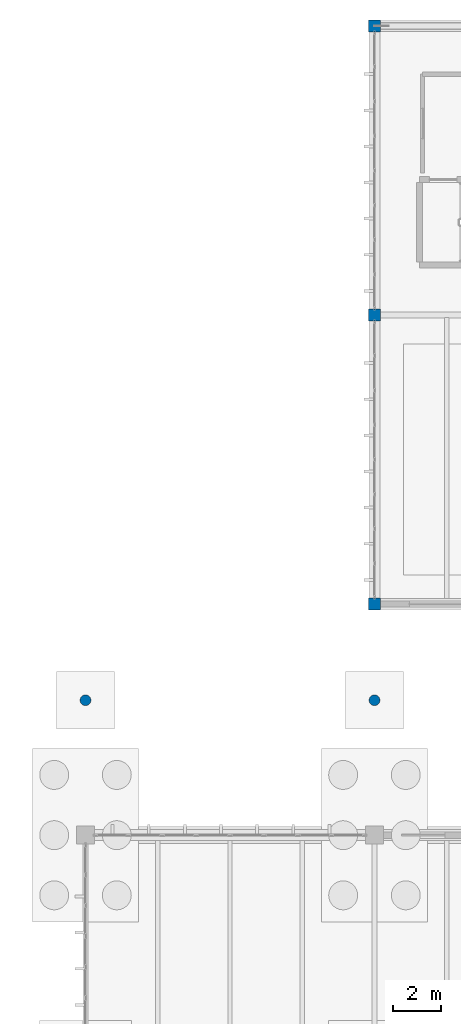
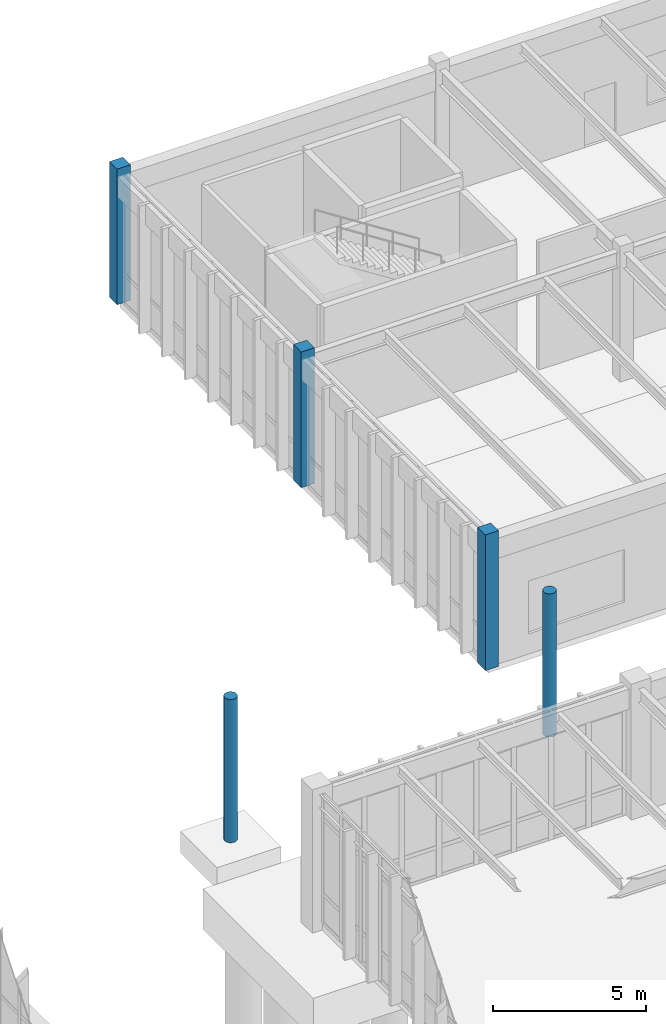
# One storey, part 13 of 188: 5 columns.
"""IFC4 building model written with IfcOpenShell, lengths in metres."""

from ifc_helpers import new_model, si_unit, direction, frame, origin, origin_2d, place, context, subcontext, project, spatial, rectangle, circle, extrude, material, material_profile, profile_set, type_object, element, save


model = new_model("IFC4")

# Units and contexts
model_context = context("Model", 3, precision=1e-05, world=origin(), true_north=direction((0.0, 1.0)))
body_context = subcontext(model_context, "Body", "Model", "MODEL_VIEW")
ifc_project = project(units=[si_unit("LENGTHUNIT", "METRE"), si_unit("AREAUNIT", "SQUARE_METRE"), si_unit("VOLUMEUNIT", "CUBIC_METRE"), si_unit("PLANEANGLEUNIT", "RADIAN"), si_unit("MASSUNIT", "GRAM", prefix="KILO")], contexts=[model_context])

# Site, building, storey
site_placement = place(None, origin())
site = spatial("IfcSite", under=ifc_project, at=site_placement, CompositionType="ELEMENT")
building_placement = place(site_placement, origin())
building = spatial("IfcBuilding", under=site, at=building_placement, Name="Pandanus Reach Market Hall", CompositionType="ELEMENT")
storey_placement = place(building_placement, origin())
storey = spatial("IfcBuildingStorey", under=building, at=storey_placement, Name="L00", CompositionType="ELEMENT", Elevation=0.0)

# Columns
ifc_material_1 = material(Name="Concrete N40 (40 MPa)", Category="concrete")
ifc_material_profile_1 = material_profile(ifc_material_1, rectangle(XDim=0.5, YDim=0.5, at=origin_2d()), Name="RC500x500", Category="LoadBearing")
ifc_profile_set_1 = profile_set([ifc_material_profile_1], Name="Concrete N40 (40 MPa)")
column_type_1 = type_object("IfcColumnType", Name="CL-RC500-E", PredefinedType="COLUMN", material=ifc_profile_set_1)
for number, where, z_axis, x_axis, name in (
    (1, (60.0, 96.0, 0.0), (0.0, 0.0, 1.0), (1.0, 0.0, 0.0), "Column CL-RC500-E V5-60-960 L00"),
    (2, (60.0, 108.0, 0.0), (0.0, 0.0, 1.0), (1.0, 0.0, 0.0), "Column CL-RC500-E V5-60-1080 L00"),
    (3, (60.0, 120.0, 0.0), (0.0, 0.0, 1.0), (1.0, 0.0, 0.0), "Column CL-RC500-E V5-60-1200 L00"),
):
    element("IfcColumn", number, at=place(storey_placement, frame(where, z_axis=z_axis, x_axis=x_axis)), inside=storey, type_object=column_type_1, Name=name, PredefinedType="COLUMN", context=body_context, shape_type="SweptSolid", body=[
        extrude(rectangle(XDim=0.5, YDim=0.5, at=origin_2d()), origin(), (0.0, 0.0, 1.0), 5.39990234375),
    ])
ifc_material_2 = material(Name="Precast concrete S50 (50 MPa)", Category="concrete")
ifc_material_profile_2 = material_profile(ifc_material_2, circle(Radius=0.22509765625, at=origin_2d()), Name="RC450D", Category="LoadBearing")
ifc_profile_set_2 = profile_set([ifc_material_profile_2], Name="Precast concrete S50 (50 MPa)")
column_type_2 = type_object("IfcColumnType", Name="PL-RC450-E", PredefinedType="PILASTER", material=ifc_profile_set_2)
for number, where, z_axis, x_axis, name in (
    (4, (48.0, 92.0, -0.300048828125), (0.0, 0.0, 1.0), (1.0, 0.0, 0.0), "Arcade pilaster P9"),
    (5, (60.0, 92.0, -0.300048828125), (0.0, 0.0, 1.0), (1.0, 0.0, 0.0), "Arcade pilaster P10"),
):
    element("IfcColumn", number, at=place(storey_placement, frame(where, z_axis=z_axis, x_axis=x_axis)), inside=storey, type_object=column_type_2, Name=name, PredefinedType="PILASTER", context=body_context, shape_type="SweptSolid", body=[
        extrude(circle(Radius=0.22509765625, at=origin_2d()), origin(), (0.0, 0.0, 1.0), 5.699951171875),
    ])

save(model, "model.ifc")
